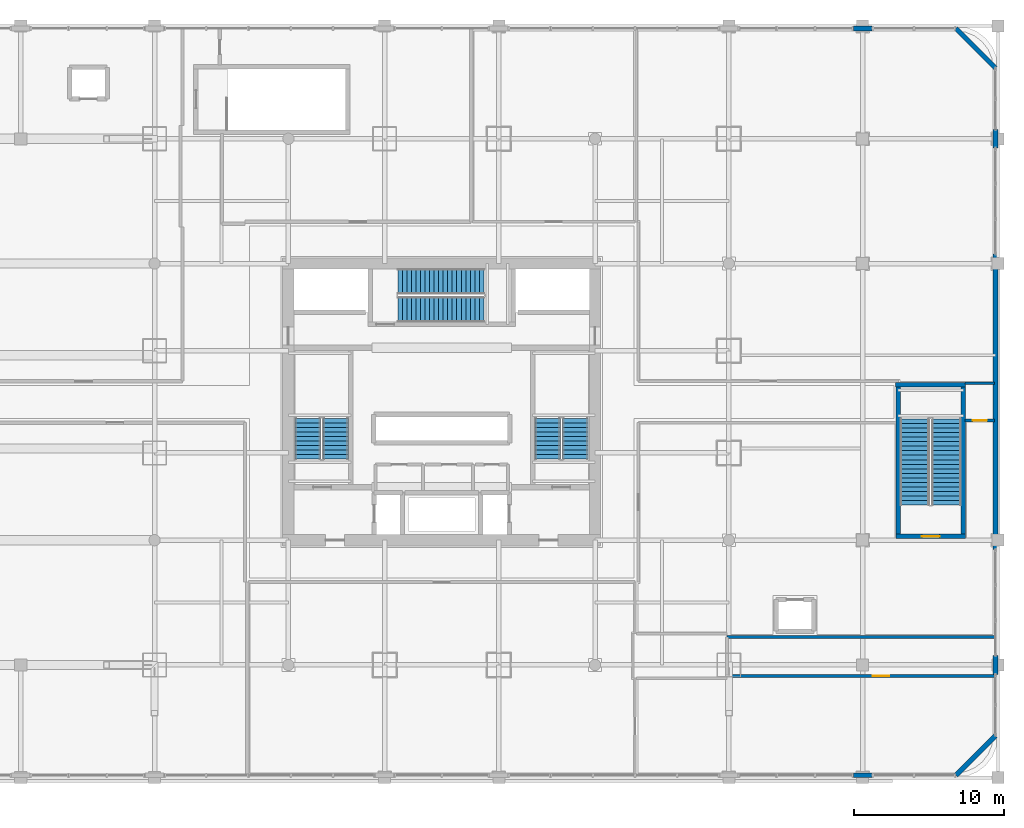
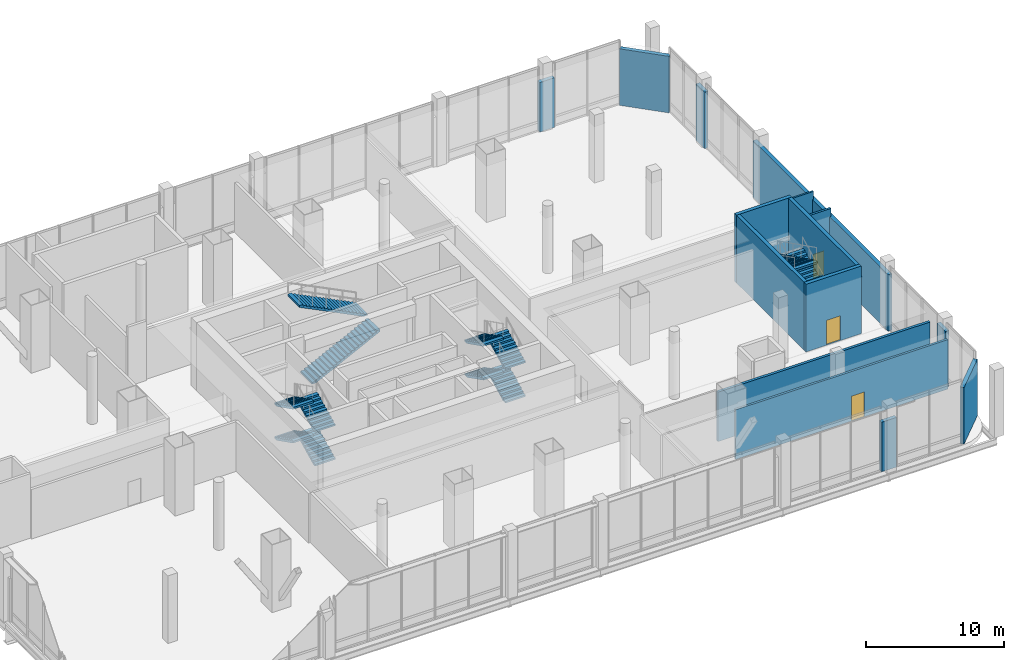
# One storey, part 29 of 38: 15 walls, 12 stair flights, 3 doors, 3 openings, 4 elements without a shape of their own.
"""IFC4 building model written with IfcOpenShell, lengths in metres."""

from ifc_helpers import new_model, si_unit, direction, frame, frame_2d, origin, place, context, subcontext, project, spatial, polyline, rectangle, outline, extrude, material, layer, layer_set, type_object, element, fill, aggregate, save


model = new_model("IFC4")

# Units and contexts
model_context = context("Model", 3, precision=1e-05, world=origin(), true_north=direction((0.0, 1.0)))
body_context = subcontext(model_context, "Body", "Model", "MODEL_VIEW")
ifc_project = project(units=[si_unit("LENGTHUNIT", "METRE"), si_unit("AREAUNIT", "SQUARE_METRE"), si_unit("VOLUMEUNIT", "CUBIC_METRE"), si_unit("PLANEANGLEUNIT", "RADIAN"), si_unit("MASSUNIT", "GRAM", prefix="KILO")], contexts=[model_context])

# Site, building, storey
site_placement = place(None, origin())
site = spatial("IfcSite", under=ifc_project, at=site_placement, CompositionType="ELEMENT")
building_placement = place(site_placement, origin())
building = spatial("IfcBuilding", under=site, at=building_placement, Name="Punatoya Terracotta Tower", CompositionType="ELEMENT")
storey_placement = place(building_placement, frame((0.0, 0.0, 22.199951171875)))
storey = spatial("IfcBuildingStorey", under=building, at=storey_placement, Name="L04", CompositionType="ELEMENT", Elevation=22.199951171875)

# Wall, opening, door
ifc_material_1 = material(Name="Gypsum Fireboard + Steel Stud", Category="steel")
ifc_layer_1 = layer(ifc_material_1, 0.179931640625)
ifc_layer_set_1 = layer_set([ifc_layer_1], Name="Gypsum Fireboard + Steel Stud")
wall_type_1 = type_object("IfcWallType", Name="WL-CORR-180", PredefinedType="PARTITIONING", material=ifc_layer_set_1)
wall_1_placement = place(storey_placement, frame((34.81005859375, -1.239990234375, 0.0), z_axis=(0.0, 0.0, 1.0), x_axis=(1.0, 0.0, 0.0)))
wall_1 = element("IfcWall", 1, at=wall_1_placement, inside=storey, type_object=wall_type_1, Name="L04 South-East Staff Wellness Fitness Studio Partition 30", PredefinedType="PARTITIONING", context=body_context, shape_type="SweptSolid", body=[
    extrude(rectangle(XDim=1.969970703125, YDim=0.179931640625, at=frame_2d((0.98486328125, 0.0))), origin(), (0.0, 0.0, 1.0), 5.719970703125),
])
opening_1_placement = place(wall_1_placement, frame((0.52490234375, 0.0, 0.0)))
opening_1 = element("IfcOpeningElement", 2, at=opening_1_placement, cuts=wall_1, Name="Opening FD-R1", PredefinedType="OPENING", context=body_context, shape_type="SweptSolid", body=[
    extrude(rectangle(XDim=0.919921875, YDim=2.10009765625, at=frame_2d((0.4599609375, 1.050048828125))), frame((0.0, 0.099853515625, 0.0), z_axis=(0.0, -1.0, 0.0), x_axis=(1.0, 0.0, 0.0)), (0.0, 0.0, 1.0), 0.199951171875),
])
ifc_material_2 = material(Name="Galvanised Steel Riser Fire Access Door", Category="steel")
door_type_1 = type_object("IfcDoorType", Name="DR-RSR-920", OperationType="NOTDEFINED", PredefinedType="DOOR", material=ifc_material_2)
door_1_placement = place(opening_1_placement, origin())
door_1 = element("IfcDoor", 3, at=door_1_placement, inside=storey, type_object=door_type_1, Name="L04 East Facilities Equipment Store Fire Door", OperationType="SINGLE_SWING_LEFT", OverallHeight=2.10009765625, OverallWidth=0.919921875, PredefinedType="DOOR", context=body_context, shape_type="SweptSolid", body=[
    extrude(rectangle(XDim=0.919921875, YDim=2.10009765625, at=frame_2d((0.4599609375, 1.050048828125))), frame((0.0, 0.02490234375, 0.0), z_axis=(0.0, -1.0, 0.0), x_axis=(1.0, 0.0, 0.0)), (0.0, 0.0, 1.0), 0.050048828125),
])
fill(opening_1, door_1)

wall_2_placement = place(storey_placement, frame((18.97998046875, -18.239990234375, 0.0), z_axis=(0.0, 0.0, 1.0), x_axis=(1.0, 0.0, 0.0)))
wall_2 = element("IfcWall", 4, at=wall_2_placement, inside=storey, type_object=wall_type_1, Name="L04 South-East Recovery Lounge Partition 32", PredefinedType="PARTITIONING", context=body_context, shape_type="SweptSolid", body=[
    extrude(rectangle(XDim=17.800048828125, YDim=0.179931640625, at=frame_2d((8.89990234375, 0.0))), origin(), (0.0, 0.0, 1.0), 4.39404296875),
])
opening_2_placement = place(wall_2_placement, frame((9.699951171875, 0.0, 0.0)))
opening_2 = element("IfcOpeningElement", 5, at=opening_2_placement, cuts=wall_2, Name="Opening FD-P1", PredefinedType="OPENING", context=body_context, shape_type="SweptSolid", body=[
    extrude(rectangle(XDim=1.10009765625, YDim=2.199951171875, at=frame_2d((0.550048828125, 1.10009765625))), frame((0.0, 0.099853515625, 0.0), z_axis=(0.0, -1.0, 0.0), x_axis=(1.0, 0.0, 0.0)), (0.0, 0.0, 1.0), 0.199951171875),
])
ifc_material_3 = material(Name="Galvanised Steel Plant Fire Door", Category="steel")
door_type_2 = type_object("IfcDoorType", Name="DR-PLT-1100", OperationType="NOTDEFINED", PredefinedType="DOOR", material=ifc_material_3)
door_2_placement = place(opening_2_placement, origin())
door_2 = element("IfcDoor", 6, at=door_2_placement, inside=storey, type_object=door_type_2, Name="L04 East Stair Access Equipment Store Fire Door", OperationType="SINGLE_SWING_RIGHT", OverallHeight=2.199951171875, OverallWidth=1.10009765625, PredefinedType="DOOR", context=body_context, shape_type="SweptSolid", body=[
    extrude(rectangle(XDim=1.10009765625, YDim=2.199951171875, at=frame_2d((0.550048828125, 1.10009765625))), frame((0.0, 0.02490234375, 0.0), z_axis=(0.0, -1.0, 0.0), x_axis=(1.0, 0.0, 0.0)), (0.0, 0.0, 1.0), 0.050048828125),
])
fill(opening_2, door_2)

# Walls
ifc_material_4 = material(Name="Precast concrete C40/50", Category="concrete")
ifc_layer_2 = layer(ifc_material_4, 0.320068359375)
ifc_layer_set_2 = layer_set([ifc_layer_2], Name="Precast concrete C40/50")
wall_type_2 = type_object("IfcWallType", Name="WL-EXT-320", PredefinedType="SOLIDWALL", material=ifc_layer_set_2)
for number, where, z_axis, x_axis, name in (
    (7, (27.3798828125, -24.840087890625, 0.0), (0.0, 0.0, 1.0), (1.0, 0.0, 0.0), "L04 South Column Cladding Pier 6"),
    (8, (28.6201171875, 24.840087890625, 0.0), (0.0, 0.0, 1.0), (-1.0, 0.0, 0.0), "L04 North Column Cladding Pier 6"),
):
    element("IfcWall", number, at=place(storey_placement, frame(where, z_axis=z_axis, x_axis=x_axis)), inside=storey, type_object=wall_type_2, Name=name, PredefinedType="SOLIDWALL", context=body_context, shape_type="SweptSolid", body=[
        extrude(rectangle(XDim=1.240234375, YDim=0.320068359375, at=frame_2d((0.6201171875, 0.0))), origin(), (0.0, 0.0, 1.0), 4.39404296875),
    ])
wall_3_placement = place(storey_placement, frame((36.840087890625, 9.820068359375, 0.0), z_axis=(0.0, 0.0, 1.0), x_axis=(0.0, -1.0, 0.0)))
element("IfcWall", 9, at=wall_3_placement, inside=storey, type_object=wall_type_2, Name="L04 East Braced Terracotta Shear Wall", PredefinedType="SOLIDWALL", context=body_context, shape_type="SweptSolid", body=[
    extrude(rectangle(XDim=19.64013671875, YDim=0.320068359375, at=frame_2d((9.820068359375, 0.0))), origin(), (0.0, 0.0, 1.0), 5.01416015625),
])
for number, where, z_axis, x_axis, name in (
    (10, (36.840087890625, -16.8798828125, 0.0), (0.0, 0.0, 1.0), (0.0, -1.0, 0.0), "L04 East Pier 11-B"),
    (11, (36.840087890625, 18.1201171875, 0.0), (0.0, 0.0, 1.0), (0.0, -1.0, 0.0), "L04 East Pier 11-G"),
):
    element("IfcWall", number, at=place(storey_placement, frame(where, z_axis=z_axis, x_axis=x_axis)), inside=storey, type_object=wall_type_2, Name=name, PredefinedType="SOLIDWALL", context=body_context, shape_type="SweptSolid", body=[
        extrude(rectangle(XDim=1.240234375, YDim=0.320068359375, at=frame_2d((0.6201171875, 0.0))), origin(), (0.0, 0.0, 1.0), 5.01416015625),
    ])
for number, where, z_axis, x_axis, name in (
    (12, (34.199951171875, 24.840087890625, 0.0), (0.0, 0.0, 1.0), (0.707106781187, -0.707106781187, 0.0), "L04 Terracotta Corner Pier 3"),
    (13, (36.840087890625, -22.199951171875, 0.0), (0.0, 0.0, 1.0), (-0.707106781187, -0.707106781187, 0.0), "L04 Terracotta Corner Pier 4"),
):
    element("IfcWall", number, at=place(storey_placement, frame(where, z_axis=z_axis, x_axis=x_axis)), inside=storey, type_object=wall_type_2, Name=name, PredefinedType="SOLIDWALL", context=body_context, shape_type="SweptSolid", body=[
        extrude(rectangle(XDim=3.733642578125, YDim=0.320068359375, at=frame_2d((1.86669921875, 0.0))), origin(), (0.0, 0.0, 1.0), 5.01416015625),
    ])
ifc_material_5 = material(Name="Concrete C40/50", Category="concrete")
ifc_layer_3 = layer(ifc_material_5, 0.219970703125)
ifc_layer_set_3 = layer_set([ifc_layer_3], Name="Concrete C40/50")
wall_type_3 = type_object("IfcWallType", Name="WL-FIR-220", PredefinedType="SOLIDWALL", material=ifc_layer_set_3)
wall_4_placement = place(storey_placement, frame((18.97998046875, -15.639892578125, 0.0), z_axis=(0.0, 0.0, 1.0), x_axis=(1.0, 0.0, 0.0)))
element("IfcWall", 14, at=wall_4_placement, inside=storey, type_object=wall_type_3, Name="L04 East Stair Access Equipment Store Partition 34", PredefinedType="SOLIDWALL", context=body_context, shape_type="SweptSolid", body=[
    extrude(rectangle(XDim=17.800048828125, YDim=0.219970703125, at=frame_2d((8.89990234375, 0.0))), origin(), (0.0, 0.0, 1.0), 4.39404296875),
])
ifc_material_6 = material(Name="Acoustic Gypsum + Steel Stud", Category="steel")
ifc_layer_4 = layer(ifc_material_6, 0.139892578125)
ifc_layer_set_4 = layer_set([ifc_layer_4], Name="Acoustic Gypsum + Steel Stud")
wall_type_4 = type_object("IfcWallType", Name="WL-OFF-140", PredefinedType="PARTITIONING", material=ifc_layer_set_4)
wall_5_placement = place(storey_placement, frame((36.780029296875, 1.239990234375, 0.0), z_axis=(0.0, 0.0, 1.0), x_axis=(-1.0, 0.0, 0.0)))
element("IfcWall", 15, at=wall_5_placement, inside=storey, type_object=wall_type_4, Name="L04 North-East Staff Wellness and First-Aid Suite Partition 35", PredefinedType="PARTITIONING", context=body_context, shape_type="SweptSolid", body=[
    extrude(rectangle(XDim=1.969970703125, YDim=0.139892578125, at=frame_2d((0.98486328125, 0.0))), origin(), (0.0, 0.0, 1.0), 5.719970703125),
])

# Wall, opening, door
ifc_layer_5 = layer(ifc_material_5, 0.300048828125)
ifc_layer_set_5 = layer_set([ifc_layer_5], Name="Concrete C40/50")
wall_type_5 = type_object("IfcWallType", Name="WL-SHF-300", PredefinedType="SOLIDWALL", material=ifc_layer_set_5)
wall_6_placement = place(storey_placement, frame((30.199951171875, -8.949951171875, 0.0), z_axis=(0.0, 0.0, 1.0), x_axis=(1.0, 0.0, 0.0)))
wall_6 = element("IfcWall", 16, at=wall_6_placement, inside=storey, type_object=wall_type_5, Name="L04 ST-P2 South Structural Shaft Wall", PredefinedType="SOLIDWALL", context=body_context, shape_type="SweptSolid", body=[
    extrude(rectangle(XDim=4.650146484375, YDim=0.300048828125, at=frame_2d((2.3251953125, 0.0))), origin(), (0.0, 0.0, 1.0), 6.0),
])
opening_3_placement = place(wall_6_placement, frame((1.735107421875, 0.0, 0.0)))
opening_3 = element("IfcOpeningElement", 17, at=opening_3_placement, cuts=wall_6, Name="Opening SD-01", PredefinedType="OPENING", context=body_context, shape_type="SweptSolid", body=[
    extrude(rectangle(XDim=1.179931640625, YDim=2.199951171875, at=frame_2d((0.58984375, 1.10009765625))), frame((0.0, 0.159912109375, 0.0), z_axis=(0.0, -1.0, 0.0), x_axis=(1.0, 0.0, 0.0)), (0.0, 0.0, 1.0), 0.320068359375),
])
ifc_material_7 = material(Name="Galvanised Steel Pressurized Stair Fire Door", Category="steel")
door_type_3 = type_object("IfcDoorType", Name="DR-STR-1180", OperationType="NOTDEFINED", PredefinedType="DOOR", material=ifc_material_7)
door_3_placement = place(opening_3_placement, origin())
door_3 = element("IfcDoor", 18, at=door_3_placement, inside=storey, type_object=door_type_3, Name="L04 Podium Stair ST-P2 Fire Door", OperationType="SINGLE_SWING_RIGHT", OverallHeight=2.199951171875, OverallWidth=1.179931640625, PredefinedType="DOOR", context=body_context, shape_type="SweptSolid", body=[
    extrude(rectangle(XDim=1.179931640625, YDim=2.199951171875, at=frame_2d((0.58984375, 1.10009765625))), frame((0.0, 0.02490234375, 0.0), z_axis=(0.0, -1.0, 0.0), x_axis=(1.0, 0.0, 0.0)), (0.0, 0.0, 1.0), 0.050048828125),
])
fill(opening_3, door_3)

# Walls
wall_7_placement = place(storey_placement, frame((34.85009765625, 1.14990234375, 0.0), z_axis=(0.0, 0.0, 1.0), x_axis=(-1.0, 0.0, 0.0)))
element("IfcWall", 19, at=wall_7_placement, inside=storey, type_object=wall_type_5, Name="L04 ST-P2 North Structural Shaft Wall", PredefinedType="SOLIDWALL", context=body_context, shape_type="SweptSolid", body=[
    extrude(rectangle(XDim=4.650146484375, YDim=0.300048828125, at=frame_2d((2.3251953125, 0.0))), origin(), (0.0, 0.0, 1.0), 6.0),
])
for number, where, z_axis, x_axis, name in (
    (20, (30.35009765625, -8.800048828125, 0.0), (0.0, 0.0, 1.0), (0.0, 1.0, 0.0), "L04 ST-P2 West Structural Shaft Wall"),
    (21, (34.699951171875, 1.0, 0.0), (0.0, 0.0, 1.0), (0.0, -1.0, 0.0), "L04 ST-P2 East Structural Shaft Wall"),
):
    element("IfcWall", number, at=place(storey_placement, frame(where, z_axis=z_axis, x_axis=x_axis)), inside=storey, type_object=wall_type_5, Name=name, PredefinedType="SOLIDWALL", context=body_context, shape_type="SweptSolid", body=[
        extrude(rectangle(XDim=9.800048828125, YDim=0.300048828125, at=frame_2d((4.89990234375, 0.0))), origin(), (0.0, 0.0, 1.0), 6.0),
    ])

# Stair, stair flights
stair_type_1 = type_object("IfcStairType", Name="STR-CORE-1550", PredefinedType="HALF_TURN_STAIR", material=ifc_material_5)
stair_1_placement = place(storey_placement, origin())
stair_1 = element("IfcStair", 22, at=stair_1_placement, inside=storey, type_object=stair_type_1, Name="L04 Protected Core Exit Stair ST-1", PredefinedType="HALF_TURN_STAIR")
stair_flight_type_1 = type_object("IfcStairFlightType", Name="SFL-CORE-1550", PredefinedType="STRAIGHT", material=ifc_material_5)
stair_flight_1_placement = place(storey_placement, frame((-7.050048828125, -3.800048828125, 0.0), z_axis=(0.0, 0.0, 1.0), x_axis=(0.0, 1.0, 0.0)))
stair_flight_1 = element("IfcStairFlight", 23, at=stair_flight_1_placement, type_object=stair_flight_type_1, Name="ST-1 flight 1", NumberOfRisers=10, NumberOfTreads=9, PredefinedType="STRAIGHT", RiserHeight=0.15, TreadLength=0.3, context=body_context, shape_type="SweptSolid", body=[
    extrude(outline(polyline([(0.0, 0.0), (0.0, 0.14990234375), (0.300048828125, 0.14990234375), (0.300048828125, 0.300048828125), (0.60009765625, 0.300048828125), (0.60009765625, 0.449951171875), (0.89990234375, 0.449951171875), (0.89990234375, 0.60009765625), (1.199951171875, 0.60009765625), (1.199951171875, 0.75), (1.5, 0.75), (1.5, 0.89990234375), (1.800048828125, 0.89990234375), (1.800048828125, 1.050048828125), (2.10009765625, 1.050048828125), (2.10009765625, 1.199951171875), (2.39990234375, 1.199951171875), (2.39990234375, 1.35009765625), (2.699951171875, 1.35009765625), (2.699951171875, 1.5), (2.699951171875, 1.182373046875), (0.335205078125, 0.0), (0.0, 0.0)])), frame((0.0, 0.85009765625, 0.0), z_axis=(0.0, -1.0, 0.0), x_axis=(1.0, 0.0, 0.0)), (0.0, 0.0, 1.0), 1.699951171875),
])
stair_flight_2_placement = place(storey_placement, frame((-8.89990234375, -1.10009765625, 1.5), z_axis=(0.0, 0.0, 1.0), x_axis=(0.0, -1.0, 0.0)))
stair_flight_2 = element("IfcStairFlight", 24, at=stair_flight_2_placement, type_object=stair_flight_type_1, Name="ST-1 flight 2", NumberOfRisers=10, NumberOfTreads=9, PredefinedType="STRAIGHT", RiserHeight=0.15, TreadLength=0.3, context=body_context, shape_type="SweptSolid", body=[
    extrude(outline(polyline([(0.0, 0.0), (0.0, 0.14990234375), (0.300048828125, 0.14990234375), (0.300048828125, 0.300048828125), (0.60009765625, 0.300048828125), (0.60009765625, 0.449951171875), (0.89990234375, 0.449951171875), (0.89990234375, 0.60009765625), (1.199951171875, 0.60009765625), (1.199951171875, 0.75), (1.5, 0.75), (1.5, 0.89990234375), (1.800048828125, 0.89990234375), (1.800048828125, 1.050048828125), (2.10009765625, 1.050048828125), (2.10009765625, 1.199951171875), (2.39990234375, 1.199951171875), (2.39990234375, 1.35009765625), (2.699951171875, 1.35009765625), (2.699951171875, 1.5), (2.699951171875, 1.182373046875), (0.335205078125, 0.0), (0.0, 0.0)])), frame((0.0, 0.85009765625, 0.0), z_axis=(0.0, -1.0, 0.0), x_axis=(1.0, 0.0, 0.0)), (0.0, 0.0, 1.0), 1.699951171875),
])
stair_flight_3_placement = place(storey_placement, frame((-7.050048828125, -3.800048828125, 3.0), z_axis=(0.0, 0.0, 1.0), x_axis=(0.0, 1.0, 0.0)))
stair_flight_3 = element("IfcStairFlight", 25, at=stair_flight_3_placement, type_object=stair_flight_type_1, Name="ST-1 flight 3", NumberOfRisers=10, NumberOfTreads=9, PredefinedType="STRAIGHT", RiserHeight=0.15, TreadLength=0.3, context=body_context, shape_type="SweptSolid", body=[
    extrude(outline(polyline([(0.0, 0.0), (0.0, 0.14990234375), (0.300048828125, 0.14990234375), (0.300048828125, 0.300048828125), (0.60009765625, 0.300048828125), (0.60009765625, 0.449951171875), (0.89990234375, 0.449951171875), (0.89990234375, 0.60009765625), (1.199951171875, 0.60009765625), (1.199951171875, 0.75), (1.5, 0.75), (1.5, 0.89990234375), (1.800048828125, 0.89990234375), (1.800048828125, 1.050048828125), (2.10009765625, 1.050048828125), (2.10009765625, 1.199951171875), (2.39990234375, 1.199951171875), (2.39990234375, 1.35009765625), (2.699951171875, 1.35009765625), (2.699951171875, 1.5), (2.699951171875, 1.182373046875), (0.335205078125, 0.0), (0.0, 0.0)])), frame((0.0, 0.85009765625, 0.0), z_axis=(0.0, -1.0, 0.0), x_axis=(1.0, 0.0, 0.0)), (0.0, 0.0, 1.0), 1.699951171875),
])
stair_flight_4_placement = place(storey_placement, frame((-8.89990234375, -1.10009765625, 4.5), z_axis=(0.0, 0.0, 1.0), x_axis=(0.0, -1.0, 0.0)))
stair_flight_4 = element("IfcStairFlight", 26, at=stair_flight_4_placement, type_object=stair_flight_type_1, Name="ST-1 flight 4", NumberOfRisers=10, NumberOfTreads=9, PredefinedType="STRAIGHT", RiserHeight=0.15, TreadLength=0.3, context=body_context, shape_type="SweptSolid", body=[
    extrude(outline(polyline([(0.0, 0.0), (0.0, 0.14990234375), (0.300048828125, 0.14990234375), (0.300048828125, 0.300048828125), (0.60009765625, 0.300048828125), (0.60009765625, 0.449951171875), (0.89990234375, 0.449951171875), (0.89990234375, 0.60009765625), (1.199951171875, 0.60009765625), (1.199951171875, 0.75), (1.5, 0.75), (1.5, 0.89990234375), (1.800048828125, 0.89990234375), (1.800048828125, 1.050048828125), (2.10009765625, 1.050048828125), (2.10009765625, 1.199951171875), (2.39990234375, 1.199951171875), (2.39990234375, 1.35009765625), (2.699951171875, 1.35009765625), (2.699951171875, 1.5), (2.699951171875, 1.182373046875), (0.335205078125, 0.0), (0.0, 0.0)])), frame((0.0, 0.85009765625, 0.0), z_axis=(0.0, -1.0, 0.0), x_axis=(1.0, 0.0, 0.0)), (0.0, 0.0, 1.0), 1.699951171875),
])
aggregate(stair_1, [stair_flight_1, stair_flight_2, stair_flight_3, stair_flight_4])

stair_type_2 = type_object("IfcStairType", Name="STR-LOB-1650", PredefinedType="HALF_TURN_STAIR", material=ifc_material_5)
stair_2_placement = place(storey_placement, origin())
stair_2 = element("IfcStair", 27, at=stair_2_placement, inside=storey, type_object=stair_type_2, Name="L04 Protected Core Exit Stair ST-2", PredefinedType="HALF_TURN_STAIR")
stair_flight_type_2 = type_object("IfcStairFlightType", Name="SFL-LOB-1650", PredefinedType="STRAIGHT", material=ifc_material_5)
stair_flight_5_placement = place(storey_placement, frame((8.89990234375, -3.800048828125, 0.0), z_axis=(0.0, 0.0, 1.0), x_axis=(0.0, 1.0, 0.0)))
stair_flight_5 = element("IfcStairFlight", 28, at=stair_flight_5_placement, type_object=stair_flight_type_2, Name="ST-2 flight 1", NumberOfRisers=10, NumberOfTreads=9, PredefinedType="STRAIGHT", RiserHeight=0.15, TreadLength=0.3, context=body_context, shape_type="SweptSolid", body=[
    extrude(outline(polyline([(0.0, 0.0), (0.0, 0.14990234375), (0.300048828125, 0.14990234375), (0.300048828125, 0.300048828125), (0.60009765625, 0.300048828125), (0.60009765625, 0.449951171875), (0.89990234375, 0.449951171875), (0.89990234375, 0.60009765625), (1.199951171875, 0.60009765625), (1.199951171875, 0.75), (1.5, 0.75), (1.5, 0.89990234375), (1.800048828125, 0.89990234375), (1.800048828125, 1.050048828125), (2.10009765625, 1.050048828125), (2.10009765625, 1.199951171875), (2.39990234375, 1.199951171875), (2.39990234375, 1.35009765625), (2.699951171875, 1.35009765625), (2.699951171875, 1.5), (2.699951171875, 1.182373046875), (0.335205078125, 0.0), (0.0, 0.0)])), frame((0.0, 0.85009765625, 0.0), z_axis=(0.0, -1.0, 0.0), x_axis=(1.0, 0.0, 0.0)), (0.0, 0.0, 1.0), 1.699951171875),
])
stair_flight_6_placement = place(storey_placement, frame((7.050048828125, -1.10009765625, 1.5), z_axis=(0.0, 0.0, 1.0), x_axis=(0.0, -1.0, 0.0)))
stair_flight_6 = element("IfcStairFlight", 29, at=stair_flight_6_placement, type_object=stair_flight_type_2, Name="ST-2 flight 2", NumberOfRisers=10, NumberOfTreads=9, PredefinedType="STRAIGHT", RiserHeight=0.15, TreadLength=0.3, context=body_context, shape_type="SweptSolid", body=[
    extrude(outline(polyline([(0.0, 0.0), (0.0, 0.14990234375), (0.300048828125, 0.14990234375), (0.300048828125, 0.300048828125), (0.60009765625, 0.300048828125), (0.60009765625, 0.449951171875), (0.89990234375, 0.449951171875), (0.89990234375, 0.60009765625), (1.199951171875, 0.60009765625), (1.199951171875, 0.75), (1.5, 0.75), (1.5, 0.89990234375), (1.800048828125, 0.89990234375), (1.800048828125, 1.050048828125), (2.10009765625, 1.050048828125), (2.10009765625, 1.199951171875), (2.39990234375, 1.199951171875), (2.39990234375, 1.35009765625), (2.699951171875, 1.35009765625), (2.699951171875, 1.5), (2.699951171875, 1.182373046875), (0.335205078125, 0.0), (0.0, 0.0)])), frame((0.0, 0.85009765625, 0.0), z_axis=(0.0, -1.0, 0.0), x_axis=(1.0, 0.0, 0.0)), (0.0, 0.0, 1.0), 1.699951171875),
])
stair_flight_7_placement = place(storey_placement, frame((8.89990234375, -3.800048828125, 3.0), z_axis=(0.0, 0.0, 1.0), x_axis=(0.0, 1.0, 0.0)))
stair_flight_7 = element("IfcStairFlight", 30, at=stair_flight_7_placement, type_object=stair_flight_type_2, Name="ST-2 flight 3", NumberOfRisers=10, NumberOfTreads=9, PredefinedType="STRAIGHT", RiserHeight=0.15, TreadLength=0.3, context=body_context, shape_type="SweptSolid", body=[
    extrude(outline(polyline([(0.0, 0.0), (0.0, 0.14990234375), (0.300048828125, 0.14990234375), (0.300048828125, 0.300048828125), (0.60009765625, 0.300048828125), (0.60009765625, 0.449951171875), (0.89990234375, 0.449951171875), (0.89990234375, 0.60009765625), (1.199951171875, 0.60009765625), (1.199951171875, 0.75), (1.5, 0.75), (1.5, 0.89990234375), (1.800048828125, 0.89990234375), (1.800048828125, 1.050048828125), (2.10009765625, 1.050048828125), (2.10009765625, 1.199951171875), (2.39990234375, 1.199951171875), (2.39990234375, 1.35009765625), (2.699951171875, 1.35009765625), (2.699951171875, 1.5), (2.699951171875, 1.182373046875), (0.335205078125, 0.0), (0.0, 0.0)])), frame((0.0, 0.85009765625, 0.0), z_axis=(0.0, -1.0, 0.0), x_axis=(1.0, 0.0, 0.0)), (0.0, 0.0, 1.0), 1.699951171875),
])
stair_flight_8_placement = place(storey_placement, frame((7.050048828125, -1.10009765625, 4.5), z_axis=(0.0, 0.0, 1.0), x_axis=(0.0, -1.0, 0.0)))
stair_flight_8 = element("IfcStairFlight", 31, at=stair_flight_8_placement, type_object=stair_flight_type_2, Name="ST-2 flight 4", NumberOfRisers=10, NumberOfTreads=9, PredefinedType="STRAIGHT", RiserHeight=0.15, TreadLength=0.3, context=body_context, shape_type="SweptSolid", body=[
    extrude(outline(polyline([(0.0, 0.0), (0.0, 0.14990234375), (0.300048828125, 0.14990234375), (0.300048828125, 0.300048828125), (0.60009765625, 0.300048828125), (0.60009765625, 0.449951171875), (0.89990234375, 0.449951171875), (0.89990234375, 0.60009765625), (1.199951171875, 0.60009765625), (1.199951171875, 0.75), (1.5, 0.75), (1.5, 0.89990234375), (1.800048828125, 0.89990234375), (1.800048828125, 1.050048828125), (2.10009765625, 1.050048828125), (2.10009765625, 1.199951171875), (2.39990234375, 1.199951171875), (2.39990234375, 1.35009765625), (2.699951171875, 1.35009765625), (2.699951171875, 1.5), (2.699951171875, 1.182373046875), (0.335205078125, 0.0), (0.0, 0.0)])), frame((0.0, 0.85009765625, 0.0), z_axis=(0.0, -1.0, 0.0), x_axis=(1.0, 0.0, 0.0)), (0.0, 0.0, 1.0), 1.699951171875),
])
aggregate(stair_2, [stair_flight_5, stair_flight_6, stair_flight_7, stair_flight_8])

stair_type_3 = type_object("IfcStairType", Name="STR-POD-1800", PredefinedType="HALF_TURN_STAIR", material=ifc_material_5)
stair_3_placement = place(storey_placement, origin())
stair_3 = element("IfcStair", 32, at=stair_3_placement, inside=storey, type_object=stair_type_3, Name="L04 Podium East Exit Stair ST-P2", PredefinedType="HALF_TURN_STAIR")
stair_flight_type_3 = type_object("IfcStairFlightType", Name="SFL-POD-1800", PredefinedType="STRAIGHT", material=ifc_material_5)
stair_flight_9_placement = place(storey_placement, frame((33.574951171875, -6.85009765625, 0.0), z_axis=(0.0, 0.0, 1.0), x_axis=(0.0, 1.0, 0.0)))
stair_flight_9 = element("IfcStairFlight", 33, at=stair_flight_9_placement, type_object=stair_flight_type_3, Name="ST-P2 flight 1", NumberOfRisers=20, NumberOfTreads=19, PredefinedType="STRAIGHT", RiserHeight=0.15, TreadLength=0.3, context=body_context, shape_type="SweptSolid", body=[
    extrude(outline(polyline([(0.0, 0.0), (0.0, 0.14990234375), (0.300048828125, 0.14990234375), (0.300048828125, 0.300048828125), (0.60009765625, 0.300048828125), (0.60009765625, 0.449951171875), (0.89990234375, 0.449951171875), (0.89990234375, 0.60009765625), (1.199951171875, 0.60009765625), (1.199951171875, 0.75), (1.5, 0.75), (1.5, 0.89990234375), (1.800048828125, 0.89990234375), (1.800048828125, 1.050048828125), (2.10009765625, 1.050048828125), (2.10009765625, 1.199951171875), (2.39990234375, 1.199951171875), (2.39990234375, 1.35009765625), (2.699951171875, 1.35009765625), (2.699951171875, 1.5), (3.0, 1.5), (3.0, 1.64990234375), (3.300048828125, 1.64990234375), (3.300048828125, 1.800048828125), (3.60009765625, 1.800048828125), (3.60009765625, 1.949951171875), (3.89990234375, 1.949951171875), (3.89990234375, 2.10009765625), (4.199951171875, 2.10009765625), (4.199951171875, 2.25), (4.5, 2.25), (4.5, 2.39990234375), (4.800048828125, 2.39990234375), (4.800048828125, 2.550048828125), (5.10009765625, 2.550048828125), (5.10009765625, 2.699951171875), (5.39990234375, 2.699951171875), (5.39990234375, 2.85009765625), (5.699951171875, 2.85009765625), (5.699951171875, 3.0), (5.699951171875, 2.682373046875), (0.335205078125, 0.0), (0.0, 0.0)])), frame((0.0, 0.97509765625, 0.0), z_axis=(0.0, -1.0, 0.0), x_axis=(1.0, 0.0, 0.0)), (0.0, 0.0, 1.0), 1.949951171875),
])
stair_flight_10_placement = place(storey_placement, frame((31.47509765625, -1.14990234375, 3.0), z_axis=(0.0, 0.0, 1.0), x_axis=(0.0, -1.0, 0.0)))
stair_flight_10 = element("IfcStairFlight", 34, at=stair_flight_10_placement, type_object=stair_flight_type_3, Name="ST-P2 flight 2", NumberOfRisers=20, NumberOfTreads=19, PredefinedType="STRAIGHT", RiserHeight=0.15, TreadLength=0.3, context=body_context, shape_type="SweptSolid", body=[
    extrude(outline(polyline([(0.0, 0.0), (0.0, 0.14990234375), (0.300048828125, 0.14990234375), (0.300048828125, 0.300048828125), (0.60009765625, 0.300048828125), (0.60009765625, 0.449951171875), (0.89990234375, 0.449951171875), (0.89990234375, 0.60009765625), (1.199951171875, 0.60009765625), (1.199951171875, 0.75), (1.5, 0.75), (1.5, 0.89990234375), (1.800048828125, 0.89990234375), (1.800048828125, 1.050048828125), (2.10009765625, 1.050048828125), (2.10009765625, 1.199951171875), (2.39990234375, 1.199951171875), (2.39990234375, 1.35009765625), (2.699951171875, 1.35009765625), (2.699951171875, 1.5), (3.0, 1.5), (3.0, 1.64990234375), (3.300048828125, 1.64990234375), (3.300048828125, 1.800048828125), (3.60009765625, 1.800048828125), (3.60009765625, 1.949951171875), (3.89990234375, 1.949951171875), (3.89990234375, 2.10009765625), (4.199951171875, 2.10009765625), (4.199951171875, 2.25), (4.5, 2.25), (4.5, 2.39990234375), (4.800048828125, 2.39990234375), (4.800048828125, 2.550048828125), (5.10009765625, 2.550048828125), (5.10009765625, 2.699951171875), (5.39990234375, 2.699951171875), (5.39990234375, 2.85009765625), (5.699951171875, 2.85009765625), (5.699951171875, 3.0), (5.699951171875, 2.682373046875), (0.335205078125, 0.0), (0.0, 0.0)])), frame((0.0, 0.97509765625, 0.0), z_axis=(0.0, -1.0, 0.0), x_axis=(1.0, 0.0, 0.0)), (0.0, 0.0, 1.0), 1.949951171875),
])
aggregate(stair_3, [stair_flight_9, stair_flight_10])

stair_type_4 = type_object("IfcStairType", Name="STR-TER-1450", PredefinedType="HALF_TURN_STAIR", material=ifc_material_5)
stair_4_placement = place(storey_placement, origin())
stair_4 = element("IfcStair", 35, at=stair_4_placement, inside=storey, type_object=stair_type_4, Name="L04 Protected Core Exit Stair ST-3", PredefinedType="HALF_TURN_STAIR")
stair_flight_type_4 = type_object("IfcStairFlightType", Name="SFL-TER-1450", PredefinedType="STRAIGHT", material=ifc_material_5)
stair_flight_11_placement = place(storey_placement, frame((-2.89990234375, 6.14990234375, 0.0), z_axis=(0.0, 0.0, 1.0), x_axis=(1.0, 0.0, 0.0)))
stair_flight_11 = element("IfcStairFlight", 36, at=stair_flight_11_placement, type_object=stair_flight_type_4, Name="ST-3 flight 1", NumberOfRisers=20, NumberOfTreads=19, PredefinedType="STRAIGHT", RiserHeight=0.15, TreadLength=0.3, context=body_context, shape_type="SweptSolid", body=[
    extrude(outline(polyline([(0.0, 0.0), (0.0, 0.14990234375), (0.300048828125, 0.14990234375), (0.300048828125, 0.300048828125), (0.60009765625, 0.300048828125), (0.60009765625, 0.449951171875), (0.89990234375, 0.449951171875), (0.89990234375, 0.60009765625), (1.199951171875, 0.60009765625), (1.199951171875, 0.75), (1.5, 0.75), (1.5, 0.89990234375), (1.800048828125, 0.89990234375), (1.800048828125, 1.050048828125), (2.10009765625, 1.050048828125), (2.10009765625, 1.199951171875), (2.39990234375, 1.199951171875), (2.39990234375, 1.35009765625), (2.699951171875, 1.35009765625), (2.699951171875, 1.5), (3.0, 1.5), (3.0, 1.64990234375), (3.300048828125, 1.64990234375), (3.300048828125, 1.800048828125), (3.60009765625, 1.800048828125), (3.60009765625, 1.949951171875), (3.89990234375, 1.949951171875), (3.89990234375, 2.10009765625), (4.199951171875, 2.10009765625), (4.199951171875, 2.25), (4.5, 2.25), (4.5, 2.39990234375), (4.800048828125, 2.39990234375), (4.800048828125, 2.550048828125), (5.10009765625, 2.550048828125), (5.10009765625, 2.699951171875), (5.39990234375, 2.699951171875), (5.39990234375, 2.85009765625), (5.699951171875, 2.85009765625), (5.699951171875, 3.0), (5.699951171875, 2.682373046875), (0.335205078125, 0.0), (0.0, 0.0)])), frame((0.0, 0.85009765625, 0.0), z_axis=(0.0, -1.0, 0.0), x_axis=(1.0, 0.0, 0.0)), (0.0, 0.0, 1.0), 1.699951171875),
])
stair_flight_12_placement = place(storey_placement, frame((2.800048828125, 8.0, 3.0), z_axis=(0.0, 0.0, 1.0), x_axis=(-1.0, 0.0, 0.0)))
stair_flight_12 = element("IfcStairFlight", 37, at=stair_flight_12_placement, type_object=stair_flight_type_4, Name="ST-3 flight 2", NumberOfRisers=20, NumberOfTreads=19, PredefinedType="STRAIGHT", RiserHeight=0.15, TreadLength=0.3, context=body_context, shape_type="SweptSolid", body=[
    extrude(outline(polyline([(0.0, 0.0), (0.0, 0.14990234375), (0.300048828125, 0.14990234375), (0.300048828125, 0.300048828125), (0.60009765625, 0.300048828125), (0.60009765625, 0.449951171875), (0.89990234375, 0.449951171875), (0.89990234375, 0.60009765625), (1.199951171875, 0.60009765625), (1.199951171875, 0.75), (1.5, 0.75), (1.5, 0.89990234375), (1.800048828125, 0.89990234375), (1.800048828125, 1.050048828125), (2.10009765625, 1.050048828125), (2.10009765625, 1.199951171875), (2.39990234375, 1.199951171875), (2.39990234375, 1.35009765625), (2.699951171875, 1.35009765625), (2.699951171875, 1.5), (3.0, 1.5), (3.0, 1.64990234375), (3.300048828125, 1.64990234375), (3.300048828125, 1.800048828125), (3.60009765625, 1.800048828125), (3.60009765625, 1.949951171875), (3.89990234375, 1.949951171875), (3.89990234375, 2.10009765625), (4.199951171875, 2.10009765625), (4.199951171875, 2.25), (4.5, 2.25), (4.5, 2.39990234375), (4.800048828125, 2.39990234375), (4.800048828125, 2.550048828125), (5.10009765625, 2.550048828125), (5.10009765625, 2.699951171875), (5.39990234375, 2.699951171875), (5.39990234375, 2.85009765625), (5.699951171875, 2.85009765625), (5.699951171875, 3.0), (5.699951171875, 2.682373046875), (0.335205078125, 0.0), (0.0, 0.0)])), frame((0.0, 0.85009765625, 0.0), z_axis=(0.0, -1.0, 0.0), x_axis=(1.0, 0.0, 0.0)), (0.0, 0.0, 1.0), 1.699951171875),
])
aggregate(stair_4, [stair_flight_11, stair_flight_12])

save(model, "model.ifc")
